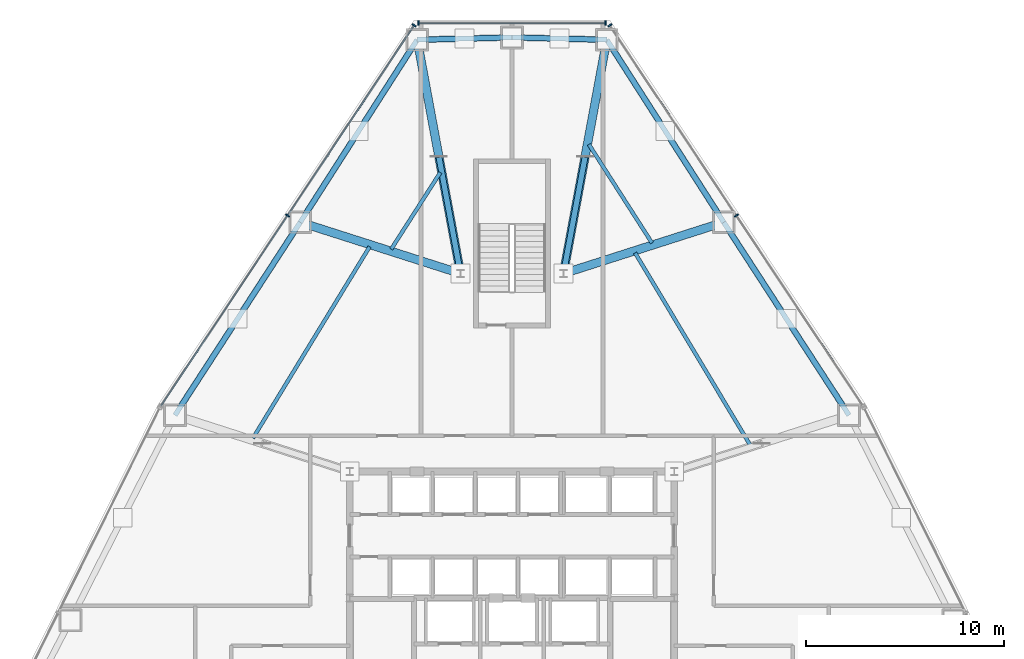
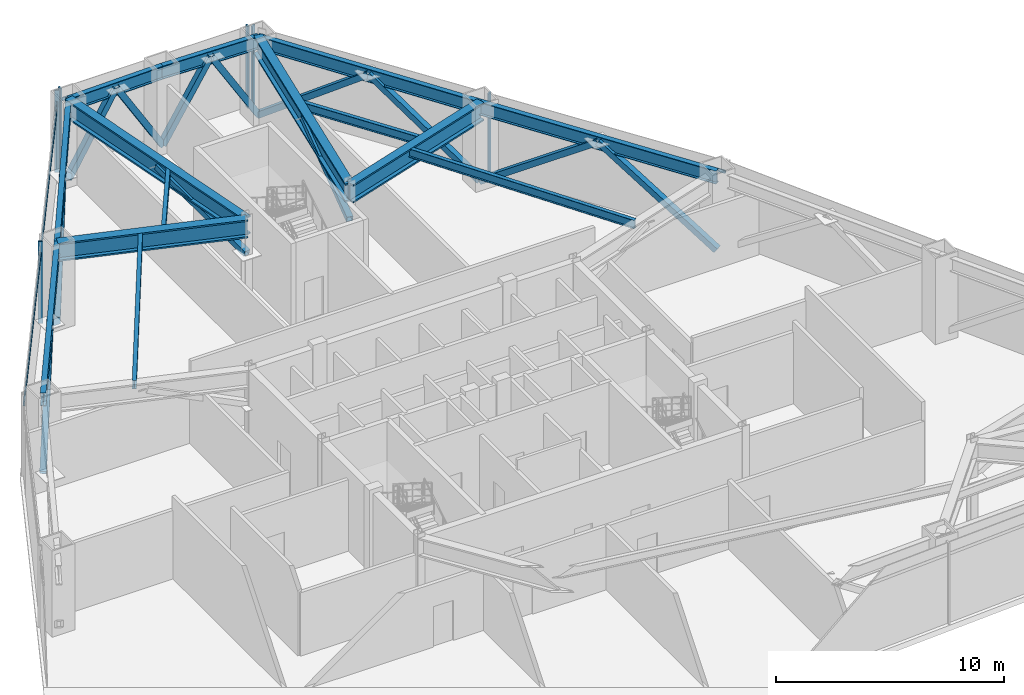
# One storey, part 7 of 12: 23 members, 14 beams, 3 elements without a shape of their own.
"""IFC4 building model written with IfcOpenShell, lengths in metres."""

import ifcopenshell
import ifcopenshell.guid

model = None  # the IFC model being written
_history = None  # IfcOwnerHistory: only IFC2X3 demands one
_inside = {}  # id of a spatial element -> (the spatial element, [elements in it])
_under = {}  # id of a project, library or spatial element -> (it, [spatial elements below it])
_declared = {}  # id of a project -> (the project, [libraries it declares])
_typed = {}  # id of a type object -> (the type object, [elements of that type])
_made_of = {}  # id of a material, layer set ... -> (it, [elements and type objects made of it])


def new_model(schema):
    """Start an empty IFC model of exactly this schema.

    Asked for "IFC4X3", IfcOpenShell would pick the latest addendum, in which some entities
    have other attributes; the version numbers below select the first issue.
    IFC2X3 requires an IfcOwnerHistory on every rooted entity: one is made here for all.
    """
    global model, _history
    if schema == "IFC4X3":
        model = ifcopenshell.file(schema_version=(4, 3, 0, 0))
    else:
        model = ifcopenshell.file(schema=schema)
    _inside.clear()
    _under.clear()
    _declared.clear()
    _typed.clear()
    _made_of.clear()
    _history = None
    if model.schema == "IFC2X3":
        org = make("IfcOrganization", Name="unknown")
        user = make(
            "IfcPersonAndOrganization",
            ThePerson=make("IfcPerson", FamilyName="unknown"),
            TheOrganization=org,
        )
        app = make(
            "IfcApplication",
            ApplicationDeveloper=org,
            Version="unknown",
            ApplicationFullName="unknown",
            ApplicationIdentifier="unknown",
        )
        _history = make(
            "IfcOwnerHistory",
            OwningUser=user,
            OwningApplication=app,
            ChangeAction="ADDED",
            CreationDate=0,
        )
    return model


def make(cls, **values):
    """One entity of the class cls with the attributes given. An attribute that is None is left unset."""
    return model.create_entity(
        cls, **{name: value for name, value in values.items() if value is not None}
    )


def rooted(cls, **values):
    """An entity with a GlobalId (a new one), such as an element, a storey or a relation."""
    return make(cls, GlobalId=ifcopenshell.guid.new(), OwnerHistory=_history, **values)


def si_unit(unit_type, name, prefix=None):
    """IfcSIUnit, for example si_unit("LENGTHUNIT", "METRE", prefix="MILLI")."""
    return make("IfcSIUnit", UnitType=unit_type, Prefix=prefix, Name=name)


def assignment(units):
    """IfcUnitAssignment: the units of a project."""
    return None if units is None else make("IfcUnitAssignment", Units=units)


def point(xyz):
    """IfcCartesianPoint."""
    return None if xyz is None else make("IfcCartesianPoint", Coordinates=xyz)


def direction(xyz):
    """IfcDirection."""
    return None if xyz is None else make("IfcDirection", DirectionRatios=xyz)


def frame(location, z_axis=None, x_axis=None):
    """IfcAxis2Placement3D, a coordinate frame: its origin and axes. An axis left out is left unset."""
    return make(
        "IfcAxis2Placement3D",
        Location=point(location),
        Axis=direction(z_axis),
        RefDirection=direction(x_axis),
    )


def frame_2d(location, x_axis=None):
    """IfcAxis2Placement2D, a coordinate frame in the plane: its origin and x axis."""
    return make(
        "IfcAxis2Placement2D", Location=point(location), RefDirection=direction(x_axis)
    )


def origin():
    """The frame at (0, 0, 0) with its axes left unset."""
    return frame((0.0, 0.0, 0.0))


def origin_2d():
    """The frame at (0, 0) in the plane with its x axis left unset."""
    return frame_2d((0.0, 0.0))


def place(relative_to, where):
    """IfcLocalPlacement: puts the frame where relative to a parent placement (None: the world)."""
    return make(
        "IfcLocalPlacement", PlacementRelTo=relative_to, RelativePlacement=where
    )


def context(
    kind, dimensions, precision=None, world=None, true_north=None, identifier=None
):
    """IfcGeometricRepresentationContext, for example the 3D "Model" context."""
    return make(
        "IfcGeometricRepresentationContext",
        ContextIdentifier=identifier,
        ContextType=kind,
        CoordinateSpaceDimension=dimensions,
        Precision=precision,
        WorldCoordinateSystem=world,
        TrueNorth=true_north,
    )


def subcontext(parent, identifier, kind, view, scale=None):
    """IfcGeometricRepresentationSubContext, for example "Body" below "Model"."""
    return make(
        "IfcGeometricRepresentationSubContext",
        ContextIdentifier=identifier,
        ContextType=kind,
        ParentContext=parent,
        TargetScale=scale,
        TargetView=view,
    )


def project(units=None, contexts=None):
    """IfcProject with its units and contexts."""
    return rooted(
        "IfcProject",
        Name="project",
        RepresentationContexts=contexts,
        UnitsInContext=assignment(units),
    )


def spatial(cls, under=None, at=None, **own):
    """A site, building, storey or space (cls), placed at a placement, below another one or the project."""
    s = rooted(cls, ObjectPlacement=at, **own)
    if under is not None:
        _under.setdefault(under.id(), (under, []))[1].append(s)
    return s


def profile(cls, at=None, kind="AREA", **sizes):
    """A parametric profile (cls). Its sizes go by their IFC names, for example OverallWidth=200.0."""
    return make(cls, ProfileType=kind, Position=at, **sizes)


def rectangle(**sizes):
    """IfcRectangleProfileDef."""
    return profile("IfcRectangleProfileDef", **sizes)


def hollow_rectangle(**sizes):
    """IfcRectangleHollowProfileDef."""
    return profile("IfcRectangleHollowProfileDef", **sizes)


def i_section(**sizes):
    """IfcIShapeProfileDef."""
    return profile("IfcIShapeProfileDef", **sizes)


def extrude(swept, where, along, depth):
    """IfcExtrudedAreaSolid: the profile swept, set in the frame where, extruded along a direction by depth."""
    return make(
        "IfcExtrudedAreaSolid",
        SweptArea=swept,
        Position=where,
        ExtrudedDirection=direction(along),
        Depth=depth,
    )


def shape(context_of_items, identifier, shape_type, items):
    """IfcShapeRepresentation: the items that make up one representation, for example the "Body"."""
    return make(
        "IfcShapeRepresentation",
        ContextOfItems=context_of_items,
        RepresentationIdentifier=identifier,
        RepresentationType=shape_type,
        Items=items,
    )


def source(mapping_origin, context_of_items, identifier, shape_type, items):
    """IfcRepresentationMap: a shape defined once, which mapped items show again and again."""
    return make(
        "IfcRepresentationMap",
        MappingOrigin=mapping_origin,
        MappedRepresentation=shape(context_of_items, identifier, shape_type, items),
    )


def transform(
    local_origin,
    x_axis=None,
    y_axis=None,
    z_axis=None,
    scale=None,
    scale2=None,
    scale3=None,
    uniform=True,
):
    """IfcCartesianTransformationOperator3D, or its non-uniform kind. x_axis, y_axis, z_axis: its Axis1, 2, 3."""
    if uniform:
        return make(
            "IfcCartesianTransformationOperator3D",
            Axis1=direction(x_axis),
            Axis2=direction(y_axis),
            LocalOrigin=point(local_origin),
            Scale=scale,
            Axis3=direction(z_axis),
        )
    return make(
        "IfcCartesianTransformationOperator3DnonUniform",
        Axis1=direction(x_axis),
        Axis2=direction(y_axis),
        LocalOrigin=point(local_origin),
        Scale=scale,
        Axis3=direction(z_axis),
        Scale2=scale2,
        Scale3=scale3,
    )


def mapped(mapping_source, mapping_target):
    """IfcMappedItem: shows the shape of a source again, moved by a transform."""
    return make(
        "IfcMappedItem", MappingSource=mapping_source, MappingTarget=mapping_target
    )


def material(Name=None, Category=None):
    """IfcMaterial."""
    return make("IfcMaterial", Name=Name, Category=Category)


def layer(
    of_material, thickness, ventilated=None, Name=None, Category=None, Priority=None
):
    """IfcMaterialLayer: one layer of a wall or slab, of a material (None: an air gap)."""
    return make(
        "IfcMaterialLayer",
        Material=of_material,
        LayerThickness=thickness,
        IsVentilated=ventilated,
        Name=Name,
        Category=Category,
        Priority=Priority,
    )


def layer_set(layers, Name=None):
    """IfcMaterialLayerSet."""
    return make("IfcMaterialLayerSet", MaterialLayers=layers, LayerSetName=Name)


def material_profile(
    of_material, cross_section, Name=None, Category=None, Priority=None
):
    """IfcMaterialProfile: a cross section and its material."""
    return make(
        "IfcMaterialProfile",
        Name=Name,
        Material=of_material,
        Profile=cross_section,
        Priority=Priority,
        Category=Category,
    )


def profile_set(profiles, Name=None, composite=None):
    """IfcMaterialProfileSet."""
    return make(
        "IfcMaterialProfileSet",
        Name=Name,
        MaterialProfiles=profiles,
        CompositeProfile=composite,
    )


def made_of(thing, what):
    """Note that an element or type object is made of a material, layer set ...; save() writes the relation."""
    if what is not None:
        _made_of.setdefault(what.id(), (what, []))[1].append(thing)
    return thing


def type_object(cls, material=None, **own):
    """A type object (cls), such as IfcWallType, which elements share."""
    return made_of(rooted(cls, **own), material)


def type_shapes(of_type, sources):
    """Give a type object the sources (RepresentationMaps) that its elements show as mapped items."""
    of_type.RepresentationMaps = sources


def element(
    cls,
    number,
    at=None,
    inside=None,
    cuts=None,
    type_object=None,
    material=None,
    context=None,
    identifier="Body",
    shape_type=None,
    held_by="IfcProductDefinitionShape",
    body=None,
    shapes=None,
    **own,
):
    """One element of the class cls, such as IfcWall. Its Tag is "e" and its number.

    at: its placement. inside: the storey or other place that contains it. cuts: it is an
    opening in that element (IfcRelVoidsElement). A single representation is given by context,
    identifier, shape_type and body (its items); several are given by shapes. held_by: the class
    of the entity that holds the representations. save() writes the other relations.
    """
    e = rooted(cls, Tag="e%d" % number, ObjectPlacement=at, **own)
    if body is not None:
        shapes = [shape(context, identifier, shape_type, body)]
    if shapes is not None:
        e.Representation = make(held_by, Representations=shapes)
    if inside is not None:
        _inside.setdefault(inside.id(), (inside, []))[1].append(e)
    if cuts is not None:
        rooted(
            "IfcRelVoidsElement", RelatingBuildingElement=cuts, RelatedOpeningElement=e
        )
    if type_object is not None:
        _typed.setdefault(type_object.id(), (type_object, []))[1].append(e)
    return made_of(e, material)


def aggregate(whole, parts):
    """IfcRelAggregates: a whole, such as a stair, and the parts it consists of."""
    return rooted("IfcRelAggregates", RelatingObject=whole, RelatedObjects=parts)


def save(model, path):
    """Write the relations noted so far, then the file.

    IfcRelAggregates (storeys below a building ...), IfcRelContainedInSpatialStructure (elements
    in a storey), IfcRelDefinesByType, IfcRelAssociatesMaterial and IfcRelDeclares: one each for
    every whole, place, type object, material and project.
    """
    for whole, parts in _under.values():
        aggregate(whole, parts)
    for where, things in _inside.values():
        rooted(
            "IfcRelContainedInSpatialStructure",
            RelatedElements=things,
            RelatingStructure=where,
        )
    for kind, things in _typed.values():
        rooted("IfcRelDefinesByType", RelatedObjects=things, RelatingType=kind)
    for what, things in _made_of.values():
        rooted("IfcRelAssociatesMaterial", RelatedObjects=things, RelatingMaterial=what)
    for by, libraries in _declared.values():
        rooted("IfcRelDeclares", RelatingContext=by, RelatedDefinitions=libraries)
    model.write(path)


model = new_model("IFC4")

# Units and contexts
model_context = context("Model", 3, precision=1e-05, world=origin(), true_north=direction((0.0, 1.0)))
body_context = subcontext(model_context, "Body", "Model", "MODEL_VIEW")
ifc_project = project(units=[si_unit("LENGTHUNIT", "METRE"), si_unit("AREAUNIT", "SQUARE_METRE"), si_unit("VOLUMEUNIT", "CUBIC_METRE"), si_unit("PLANEANGLEUNIT", "RADIAN"), si_unit("MASSUNIT", "GRAM", prefix="KILO")], contexts=[model_context])

# Site, building, storey
site_placement = place(None, origin())
site = spatial("IfcSite", under=ifc_project, at=site_placement, CompositionType="ELEMENT")
building_placement = place(site_placement, origin())
building = spatial("IfcBuilding", under=site, at=building_placement, Name="Varakhsha Concourse Tower", CompositionType="ELEMENT")
storey_placement = place(building_placement, frame((0.0, 0.0, 68.800048828125)))
storey = spatial("IfcBuildingStorey", under=building, at=storey_placement, Name="L19", CompositionType="ELEMENT", Elevation=68.800048828125)

# Beams
ifc_material_1 = material(Name="Structural Steel ASTM A992 Grade 50", Category="steel")
ifc_material_profile_1 = material_profile(ifc_material_1, i_section(OverallWidth=0.19091796875, OverallDepth=0.45703125, WebThickness=0.009033203125, FlangeThickness=0.013916015625, at=origin_2d()), Name="W18X50")
ifc_profile_set_1 = profile_set([ifc_material_profile_1], Name="Structural Steel ASTM A992 Grade 50")
beam_type_1 = type_object("IfcBeamType", Name="BM-JST-W18X50", PredefinedType="JOIST", material=ifc_profile_set_1)
beam_1_placement = place(storey_placement, frame((36.376708984375, 46.306396484375, 4.141357421875), z_axis=(-0.539448153632, -0.842018817808, 0.0), x_axis=(0.842018817808, -0.539448153632, 0.0)))
element("IfcBeam", 1, at=beam_1_placement, inside=storey, type_object=beam_type_1, Name="BM-TJST-L19-03", PredefinedType="JOIST", context=body_context, shape_type="SweptSolid", body=[
    extrude(i_section(OverallWidth=0.19091796875, OverallDepth=0.45703125, WebThickness=0.009033203125, FlangeThickness=0.013916015625, at=origin_2d()), origin(), (0.0, 0.0, 1.0), 4.600830078125),
])
beam_2_placement = place(storey_placement, frame((32.805908203125, 42.556396484375, 4.141357421875), z_axis=(-0.520412401595, -0.853915061505, 0.0), x_axis=(0.853915061505, -0.520412401595, 0.0)))
element("IfcBeam", 2, at=beam_2_placement, inside=storey, type_object=beam_type_1, Name="BM-TJST-L19-04", PredefinedType="JOIST", context=body_context, shape_type="SweptSolid", body=[
    extrude(i_section(OverallWidth=0.19091796875, OverallDepth=0.45703125, WebThickness=0.009033203125, FlangeThickness=0.013916015625, at=origin_2d()), origin(), (0.0, 0.0, 1.0), 11.329833984375),
])
beam_3_placement = place(storey_placement, frame((52.031005859375, 32.541748046875, 4.141357421875), z_axis=(-0.513692387405, 0.857974435005, 0.0), x_axis=(-0.857974435005, -0.513692387405, 0.0)))
element("IfcBeam", 3, at=beam_3_placement, inside=storey, type_object=beam_type_1, Name="BM-TJST-L19-17", PredefinedType="JOIST", context=body_context, shape_type="SweptSolid", body=[
    extrude(i_section(OverallWidth=0.19091796875, OverallDepth=0.45703125, WebThickness=0.009033203125, FlangeThickness=0.013916015625, at=origin_2d()), origin(), (0.0, 0.0, 1.0), 11.309814453125),
])
beam_4_placement = place(storey_placement, frame((47.077392578125, 42.7431640625, 4.141357421875), z_axis=(-0.539426076223, 0.842032961523, 0.0), x_axis=(-0.842032961523, -0.539426076223, 0.0)))
element("IfcBeam", 4, at=beam_4_placement, inside=storey, type_object=beam_type_1, Name="BM-TJST-L19-18", PredefinedType="JOIST", context=body_context, shape_type="SweptSolid", body=[
    extrude(i_section(OverallWidth=0.19091796875, OverallDepth=0.45703125, WebThickness=0.009033203125, FlangeThickness=0.013916015625, at=origin_2d()), origin(), (0.0, 0.0, 1.0), 5.915283203125),
])
ifc_material_profile_2 = material_profile(ifc_material_1, i_section(OverallWidth=0.25390625, OverallDepth=0.701904296875, WebThickness=0.014892578125, FlangeThickness=0.028076171875, at=origin_2d()), Name="W27X129")
ifc_profile_set_2 = profile_set([ifc_material_profile_2], Name="Structural Steel ASTM A992 Grade 50")
beam_type_2 = type_object("IfcBeamType", Name="BM-SPAN-W27X129", PredefinedType="SPANDREL", material=ifc_profile_set_2)
for number, where, z_axis, x_axis, name in (
    (5, (44.791015625, 53.015625, 4.01904296875), (-0.999694733244, 0.024707090584, 0.0), (-0.024707090584, -0.999694733244, 0.0), "BM-SPAN-L19-01"),
    (6, (40.0, 53.134033203125, 4.01904296875), (-0.999694733244, -0.024707090584, 0.0), (0.024707090584, -0.999694733244, 0.0), "BM-SPAN-L19-02"),
):
    element("IfcBeam", number, at=place(storey_placement, frame(where, z_axis=z_axis, x_axis=x_axis)), inside=storey, type_object=beam_type_2, Name=name, PredefinedType="SPANDREL", context=body_context, shape_type="SweptSolid", body=[
        extrude(i_section(OverallWidth=0.25390625, OverallDepth=0.701904296875, WebThickness=0.014892578125, FlangeThickness=0.028076171875, at=origin_2d()), origin(), (0.0, 0.0, 1.0), 4.79248046875),
    ])
beam_5_placement = place(storey_placement, frame((35.208984375, 53.015625, 4.01904296875), z_axis=(-0.539443776908, -0.842021621786, 0.0), x_axis=(0.842021621786, -0.539443776908, 0.0)))
element("IfcBeam", 7, at=beam_5_placement, inside=storey, type_object=beam_type_2, Name="BM-SPAN-L19-03", PredefinedType="SPANDREL", context=body_context, shape_type="SweptSolid", body=[
    extrude(i_section(OverallWidth=0.25390625, OverallDepth=0.701904296875, WebThickness=0.014892578125, FlangeThickness=0.028076171875, at=origin_2d()), origin(), (0.0, 0.0, 1.0), 10.95654296875),
])
for number, where, z_axis, x_axis, name in (
    (8, (29.298583984375, 43.7900390625, 4.01904296875), (-0.544554434333, -0.838725502205, 0.0), (0.838725502205, -0.544554434333, 0.0), "BM-SPAN-L19-04"),
    (9, (57.034912109375, 34.03515625, 4.01904296875), (-0.544554434333, 0.838725502205, 0.0), (-0.838725502205, -0.544554434333, 0.0), "BM-SPAN-L19-17"),
):
    element("IfcBeam", number, at=place(storey_placement, frame(where, z_axis=z_axis, x_axis=x_axis)), inside=storey, type_object=beam_type_2, Name=name, PredefinedType="SPANDREL", context=body_context, shape_type="SweptSolid", body=[
        extrude(i_section(OverallWidth=0.25390625, OverallDepth=0.701904296875, WebThickness=0.014892578125, FlangeThickness=0.028076171875, at=origin_2d()), origin(), (0.0, 0.0, 1.0), 11.630615234375),
    ])
beam_6_placement = place(storey_placement, frame((50.701416015625, 43.7900390625, 4.01904296875), z_axis=(-0.539443776908, 0.842021621786, 0.0), x_axis=(-0.842021621786, -0.539443776908, 0.0)))
element("IfcBeam", 10, at=beam_6_placement, inside=storey, type_object=beam_type_2, Name="BM-SPAN-L19-18", PredefinedType="SPANDREL", context=body_context, shape_type="SweptSolid", body=[
    extrude(i_section(OverallWidth=0.25390625, OverallDepth=0.701904296875, WebThickness=0.014892578125, FlangeThickness=0.028076171875, at=origin_2d()), origin(), (0.0, 0.0, 1.0), 10.95654296875),
])
ifc_material_profile_3 = material_profile(ifc_material_1, i_section(OverallWidth=0.427978515625, OverallDepth=0.97509765625, WebThickness=0.050048828125, FlangeThickness=0.0810546875, at=origin_2d()), Name="W36X395")
ifc_profile_set_3 = profile_set([ifc_material_profile_3], Name="Structural Steel ASTM A992 Grade 50")
beam_type_3 = type_object("IfcBeamType", Name="BM-XFER-W36X395", PredefinedType="USERDEFINED", material=ifc_profile_set_3)
for number, where, z_axis, x_axis, name in (
    (11, (42.60009765625, 41.199951171875, 3.882568359375), (0.182316963027, 0.983239810521, 0.0), (-0.983239810521, 0.182316963027, 0.0), "L19 Outrigger Top Chord 01"),
    (12, (37.39990234375, 41.199951171875, 3.882568359375), (-0.182316963027, 0.983239810521, 0.0), (-0.983239810521, -0.182316963027, 0.0), "L19 Outrigger Top Chord 03"),
):
    element("IfcBeam", number, at=place(storey_placement, frame(where, z_axis=z_axis, x_axis=x_axis)), inside=storey, type_object=beam_type_3, Name=name, ObjectType="GIRDER", PredefinedType="USERDEFINED", context=body_context, shape_type="SweptSolid", body=[
        extrude(i_section(OverallWidth=0.427978515625, OverallDepth=0.97509765625, WebThickness=0.050048828125, FlangeThickness=0.0810546875, at=origin_2d()), origin(), (0.0, 0.0, 1.0), 12.01708984375),
    ])
for number, where, z_axis, x_axis, name in (
    (13, (37.39990234375, 41.199951171875, 3.882568359375), (-0.952503770895, 0.30452679099, 0.0), (-0.30452679099, -0.952503770895, 0.0), "L19 Outrigger Top Chord 04"),
    (14, (42.60009765625, 41.199951171875, 3.882568359375), (0.952503770895, 0.30452679099, 0.0), (-0.30452679099, 0.952503770895, 0.0), "L19 Outrigger Top Chord 18"),
):
    element("IfcBeam", number, at=place(storey_placement, frame(where, z_axis=z_axis, x_axis=x_axis)), inside=storey, type_object=beam_type_3, Name=name, ObjectType="GIRDER", PredefinedType="USERDEFINED", context=body_context, shape_type="SweptSolid", body=[
        extrude(i_section(OverallWidth=0.427978515625, OverallDepth=0.97509765625, WebThickness=0.050048828125, FlangeThickness=0.0810546875, at=origin_2d()), origin(), (0.0, 0.0, 1.0), 8.50537109375),
    ])

# Members
ifc_material_2 = material(Name="Structural Steel ASTM A500 Grade C", Category="steel")
ifc_material_profile_4 = material_profile(ifc_material_2, hollow_rectangle(XDim=0.300048828125, YDim=0.300048828125, WallThickness=0.013916015625, at=origin_2d()), Name="HSS 300x300x14")
ifc_profile_set_4 = profile_set([ifc_material_profile_4], Name="Structural Steel ASTM A500 Grade C")
member_type_1 = type_object("IfcMemberType", Name="MB-BELT-HSS300", PredefinedType="BRACE", material=ifc_profile_set_4)
shared_shape_1 = source(origin(), body_context, "Body", "SweptSolid", [
    extrude(hollow_rectangle(XDim=0.300048828125, YDim=0.300048828125, WallThickness=0.013916015625, at=origin_2d()), origin(), (0.0, 0.0, 1.0), 4.6201171875),
])
for number, where, z_axis, x_axis, name in (
    (15, (44.791015625, 53.015625, 0.119873046875), (-0.518488856414, 0.01278784175, 0.854988758334), (-0.024656179131, -0.999695990204, 0.0), "L19 Belt Truss Chevron 01A"),
    (16, (40.0, 53.134033203125, 0.119873046875), (0.518488505327, -0.012840675377, 0.854988179392), (0.024758001845, 0.999693473693, 0.0), "L19 Belt Truss Chevron 01B"),
    (17, (40.0, 53.134033203125, 0.119873046875), (-0.518488505327, -0.012840675377, 0.854988179392), (0.024758001845, -0.999693473693, 0.0), "L19 Belt Truss Chevron 02A"),
    (18, (35.208984375, 53.015625, 0.119873046875), (0.518488856414, 0.01278784175, 0.854988758334), (-0.024656179131, 0.999695990204, 0.0), "L19 Belt Truss Chevron 02B"),
):
    element("IfcMember", number, at=place(storey_placement, frame(where, z_axis=z_axis, x_axis=x_axis)), inside=storey, type_object=member_type_1, Name=name, PredefinedType="BRACE", context=body_context, shape_type="MappedRepresentation", body=[
        mapped(shared_shape_1, transform((0.0, 0.0, 0.0), scale=1.0)),
    ])
shared_shape_2 = source(origin(), body_context, "Body", "SweptSolid", [
    extrude(hollow_rectangle(XDim=0.300048828125, YDim=0.300048828125, WallThickness=0.013916015625, at=origin_2d()), origin(), (0.0, 0.0, 1.0), 6.75390625),
])
for number, where, z_axis, x_axis, name in (
    (19, (35.208984375, 53.015625, 0.119873046875), (-0.437569504494, -0.682977134896, 0.584871919266), (0.842011500402, -0.539459575122, 0.0), "L19 Belt Truss Chevron 03A"),
    (20, (29.298583984375, 43.7900390625, 0.119873046875), (0.437540277088, 0.682987937484, 0.584881170133), (-0.842031743117, 0.539427978125, 0.0), "L19 Belt Truss Chevron 03B"),
    (21, (50.701416015625, 43.7900390625, 0.119873046875), (-0.437540277088, 0.682987937484, 0.584881170133), (-0.842031743117, -0.539427978125, 0.0), "L19 Belt Truss Chevron 18A"),
    (22, (44.791015625, 53.015625, 0.119873046875), (0.437569504494, -0.682977134896, 0.584871919266), (0.842011500402, 0.539459575122, 0.0), "L19 Belt Truss Chevron 18B"),
):
    element("IfcMember", number, at=place(storey_placement, frame(where, z_axis=z_axis, x_axis=x_axis)), inside=storey, type_object=member_type_1, Name=name, PredefinedType="BRACE", context=body_context, shape_type="MappedRepresentation", body=[
        mapped(shared_shape_2, transform((0.0, 0.0, 0.0), scale=1.0)),
    ])
shared_shape_3 = source(origin(), body_context, "Body", "SweptSolid", [
    extrude(hollow_rectangle(XDim=0.300048828125, YDim=0.300048828125, WallThickness=0.013916015625, at=origin_2d()), origin(), (0.0, 0.0, 1.0), 7.030029296875),
])
type_shapes(member_type_1, [shared_shape_1, shared_shape_2, shared_shape_3])
for number, where, z_axis, x_axis, name in (
    (23, (29.298583984375, 43.7900390625, 0.119873046875), (-0.450458057725, -0.693797785617, 0.561900499113), (0.838725502205, -0.544554434333, 0.0), "L19 Belt Truss Chevron 04A"),
    (24, (22.965087890625, 34.03515625, 0.119873046875), (0.450458057725, 0.693797785617, 0.561900499113), (-0.838725502205, 0.544554434333, 0.0), "L19 Belt Truss Chevron 04B"),
    (25, (57.034912109375, 34.03515625, 0.119873046875), (-0.450458057725, 0.693797785617, 0.561900499113), (-0.838725502205, -0.544554434333, 0.0), "L19 Belt Truss Chevron 17A"),
    (26, (50.701416015625, 43.7900390625, 0.119873046875), (0.450458057725, -0.693797785617, 0.561900499113), (0.838725502205, 0.544554434333, 0.0), "L19 Belt Truss Chevron 17B"),
):
    element("IfcMember", number, at=place(storey_placement, frame(where, z_axis=z_axis, x_axis=x_axis)), inside=storey, type_object=member_type_1, Name=name, PredefinedType="BRACE", context=body_context, shape_type="MappedRepresentation", body=[
        mapped(shared_shape_3, transform((0.0, 0.0, 0.0), scale=1.0)),
    ])
ifc_material_profile_5 = material_profile(ifc_material_2, hollow_rectangle(XDim=0.300048828125, YDim=0.300048828125, WallThickness=0.013916015625, at=origin_2d()), Name="HSS 300x300x14")
ifc_profile_set_5 = profile_set([ifc_material_profile_5], Name="Structural Steel ASTM A500 Grade C")
member_type_2 = type_object("IfcMemberType", Name="MB-OUTR-HSS300", PredefinedType="STRUT", material=ifc_profile_set_5)
shared_shape_4 = source(origin(), body_context, "Body", "SweptSolid", [
    extrude(hollow_rectangle(XDim=0.300048828125, YDim=0.300048828125, WallThickness=0.013916015625, at=origin_2d()), origin(), (0.0, 0.0, 1.0), 6.185791015625),
])
type_shapes(member_type_2, [shared_shape_4])
for number, where, z_axis, x_axis, name in (
    (27, (42.60009765625, 41.199951171875, 2.449951171875), (0.177090907583, 0.955075300334, 0.237634132952), (-0.983240485798, 0.182313321202, 0.0), "L19 Outrigger Truss Strut 01"),
    (28, (37.39990234375, 41.199951171875, 2.449951171875), (-0.177090907583, 0.955075300334, 0.237634132952), (-0.983240485798, -0.182313321202, 0.0), "L19 Outrigger Truss Strut 02"),
):
    element("IfcMember", number, at=place(storey_placement, frame(where, z_axis=z_axis, x_axis=x_axis)), inside=storey, type_object=member_type_2, Name=name, PredefinedType="STRUT", context=body_context, shape_type="MappedRepresentation", body=[
        mapped(shared_shape_4, transform((0.0, 0.0, 0.0), scale=1.0)),
    ])

# Curtain wall, members
ifc_material_3 = material(Name="Anodised Bronze Architectural Aluminium AA 6063-T6", Category="aluminium")
ifc_layer = layer(ifc_material_3, 0.260009765625, Name="CW-SYS-06")
ifc_layer_set = layer_set([ifc_layer], Name="Anodised Bronze Architectural Aluminium AA 6063-T6")
curtain_wall_type = type_object("IfcCurtainWallType", Name="CW-SYS-06", PredefinedType="NOTDEFINED", material=ifc_layer_set)
curtain_wall_1_placement = place(storey_placement, origin())
curtain_wall_1 = element("IfcCurtainWall", 29, at=curtain_wall_1_placement, inside=storey, type_object=curtain_wall_type, Name="L19 Chamfer Curtain Wall F1", PredefinedType="NOTDEFINED")
ifc_material_profile_6 = material_profile(ifc_material_3, rectangle(XDim=0.06494140625, YDim=0.159912109375, at=origin_2d()), Name="CWT-160X65")
ifc_profile_set_6 = profile_set([ifc_material_profile_6], Name="Anodised Bronze Architectural Aluminium AA 6063-T6")
member_type_3 = type_object("IfcMemberType", Name="CWT-160X65", PredefinedType="USERDEFINED", material=ifc_profile_set_6)
shared_shape_5 = source(origin(), body_context, "Body", "SweptSolid", [
    extrude(rectangle(XDim=0.06494140625, YDim=0.159912109375, at=origin_2d()), origin(), (0.0, 0.0, 1.0), 9.47412109375),
])
member_1_placement = place(storey_placement, frame((35.262939453125, 53.85400390625, 3.719970703125), z_axis=(1.0, 0.0, 0.0), x_axis=(0.0, 1.0, 0.0)))
member_1 = element("IfcMember", 30, at=member_1_placement, type_object=member_type_3, Name="CW-L19-F1 Transom 01", ObjectType="TRANSOM", PredefinedType="USERDEFINED", context=body_context, shape_type="MappedRepresentation", body=[
    mapped(shared_shape_5, transform((0.0, 0.0, 0.0), scale=1.0)),
])
ifc_material_profile_7 = material_profile(ifc_material_3, rectangle(XDim=0.074951171875, YDim=0.219970703125, at=origin_2d()), Name="CWM-220X75")
ifc_profile_set_7 = profile_set([ifc_material_profile_7], Name="Anodised Bronze Architectural Aluminium AA 6063-T6")
member_type_4 = type_object("IfcMemberType", Name="CWM-220X75", PredefinedType="MULLION", material=ifc_profile_set_7)
shared_shape_6 = source(origin(), body_context, "Body", "SweptSolid", [
    extrude(rectangle(XDim=0.074951171875, YDim=0.219970703125, at=origin_2d()), origin(), (0.0, 0.0, 1.0), 4.369873046875),
])
type_shapes(member_type_4, [shared_shape_6])
member_2_placement = place(storey_placement, frame((35.262939453125, 53.85400390625, 0.0), z_axis=(0.0, 0.0, 1.0), x_axis=(1.0, 0.0, 0.0)))
member_2 = element("IfcMember", 31, at=member_2_placement, type_object=member_type_4, Name="CW-L19-F1 Mullion 00", PredefinedType="MULLION", context=body_context, shape_type="MappedRepresentation", body=[
    mapped(shared_shape_6, transform((0.0, 0.0, 0.0), scale=1.0)),
])
member_3_placement = place(storey_placement, frame((44.737060546875, 53.85400390625, 0.0), z_axis=(0.0, 0.0, 1.0), x_axis=(1.0, 0.0, 0.0)))
member_3 = element("IfcMember", 32, at=member_3_placement, type_object=member_type_4, Name="CW-L19-F1 Mullion 01", PredefinedType="MULLION", context=body_context, shape_type="MappedRepresentation", body=[
    mapped(shared_shape_6, transform((0.0, 0.0, 0.0), scale=1.0)),
])
aggregate(curtain_wall_1, [member_2, member_3, member_1])

curtain_wall_2_placement = place(storey_placement, origin())
curtain_wall_2 = element("IfcCurtainWall", 33, at=curtain_wall_2_placement, inside=storey, type_object=curtain_wall_type, Name="L19 Crystal Curtain Wall F2", PredefinedType="NOTDEFINED")
member_4_placement = place(storey_placement, frame((28.660400390625, 44.130615234375, 0.0), z_axis=(0.0, 0.0, 1.0), x_axis=(0.553881357741, 0.832595605049, 0.0)))
member_4 = element("IfcMember", 34, at=member_4_placement, type_object=member_type_4, Name="CW-L19-F2 Mullion 01", PredefinedType="MULLION", context=body_context, shape_type="MappedRepresentation", body=[
    mapped(shared_shape_6, transform((0.0, 0.0, 0.0), scale=1.0)),
])
member_5_placement = place(storey_placement, frame((35.05419921875, 53.7421875, 0.0), z_axis=(0.0, 0.0, 1.0), x_axis=(0.553881357741, 0.832595605049, 0.0)))
member_5 = element("IfcMember", 35, at=member_5_placement, type_object=member_type_4, Name="CW-L19-F2 Mullion 02", PredefinedType="MULLION", context=body_context, shape_type="MappedRepresentation", body=[
    mapped(shared_shape_6, transform((0.0, 0.0, 0.0), scale=1.0)),
])

curtain_wall_3_placement = place(storey_placement, origin())
curtain_wall_3 = element("IfcCurtainWall", 36, at=curtain_wall_3_placement, inside=storey, type_object=curtain_wall_type, Name="L19 Crystal Curtain Wall F9", PredefinedType="NOTDEFINED")
member_6_placement = place(storey_placement, frame((44.94580078125, 53.7421875, 0.0), z_axis=(0.0, 0.0, 1.0), x_axis=(0.553881357741, -0.832595605049, 0.0)))
member_6 = element("IfcMember", 37, at=member_6_placement, type_object=member_type_4, Name="CW-L19-F9 Mullion 00", PredefinedType="MULLION", context=body_context, shape_type="MappedRepresentation", body=[
    mapped(shared_shape_6, transform((0.0, 0.0, 0.0), scale=1.0)),
])
member_7_placement = place(storey_placement, frame((51.33984375, 44.130615234375, 0.0), z_axis=(0.0, 0.0, 1.0), x_axis=(0.553881357741, -0.832595605049, 0.0)))
member_7 = element("IfcMember", 38, at=member_7_placement, type_object=member_type_4, Name="CW-L19-F9 Mullion 01", PredefinedType="MULLION", context=body_context, shape_type="MappedRepresentation", body=[
    mapped(shared_shape_6, transform((0.0, 0.0, 0.0), scale=1.0)),
])

# Member
shared_shape_7 = source(origin(), body_context, "Body", "SweptSolid", [
    extrude(rectangle(XDim=0.06494140625, YDim=0.159912109375, at=origin_2d()), origin(), (0.0, 0.0, 1.0), 23.088134765625),
])
type_shapes(member_type_3, [shared_shape_5, shared_shape_7])
member_8_placement = place(storey_placement, frame((22.26611328125, 34.51904296875, 3.719970703125), z_axis=(0.553880014647, 0.832596498536, 0.0), x_axis=(-0.832596498536, 0.553880014647, 0.0)))
member_8 = element("IfcMember", 39, at=member_8_placement, type_object=member_type_3, Name="CW-L19-F2 Transom 01", ObjectType="TRANSOM", PredefinedType="USERDEFINED", context=body_context, shape_type="MappedRepresentation", body=[
    mapped(shared_shape_7, transform((0.0, 0.0, 0.0), scale=1.0)),
])

aggregate(curtain_wall_2, [member_4, member_5, member_8])

member_9_placement = place(storey_placement, frame((44.94580078125, 53.7421875, 3.719970703125), z_axis=(0.553880014647, -0.832596498536, 0.0), x_axis=(0.832596498536, 0.553880014647, 0.0)))
member_9 = element("IfcMember", 40, at=member_9_placement, type_object=member_type_3, Name="CW-L19-F9 Transom 01", ObjectType="TRANSOM", PredefinedType="USERDEFINED", context=body_context, shape_type="MappedRepresentation", body=[
    mapped(shared_shape_7, transform((0.0, 0.0, 0.0), scale=1.0)),
])

aggregate(curtain_wall_3, [member_6, member_7, member_9])

save(model, "model.ifc")
